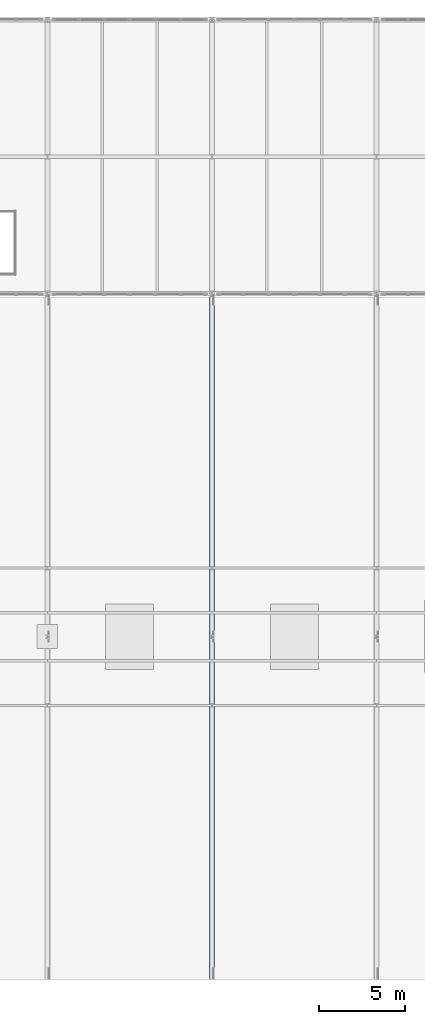
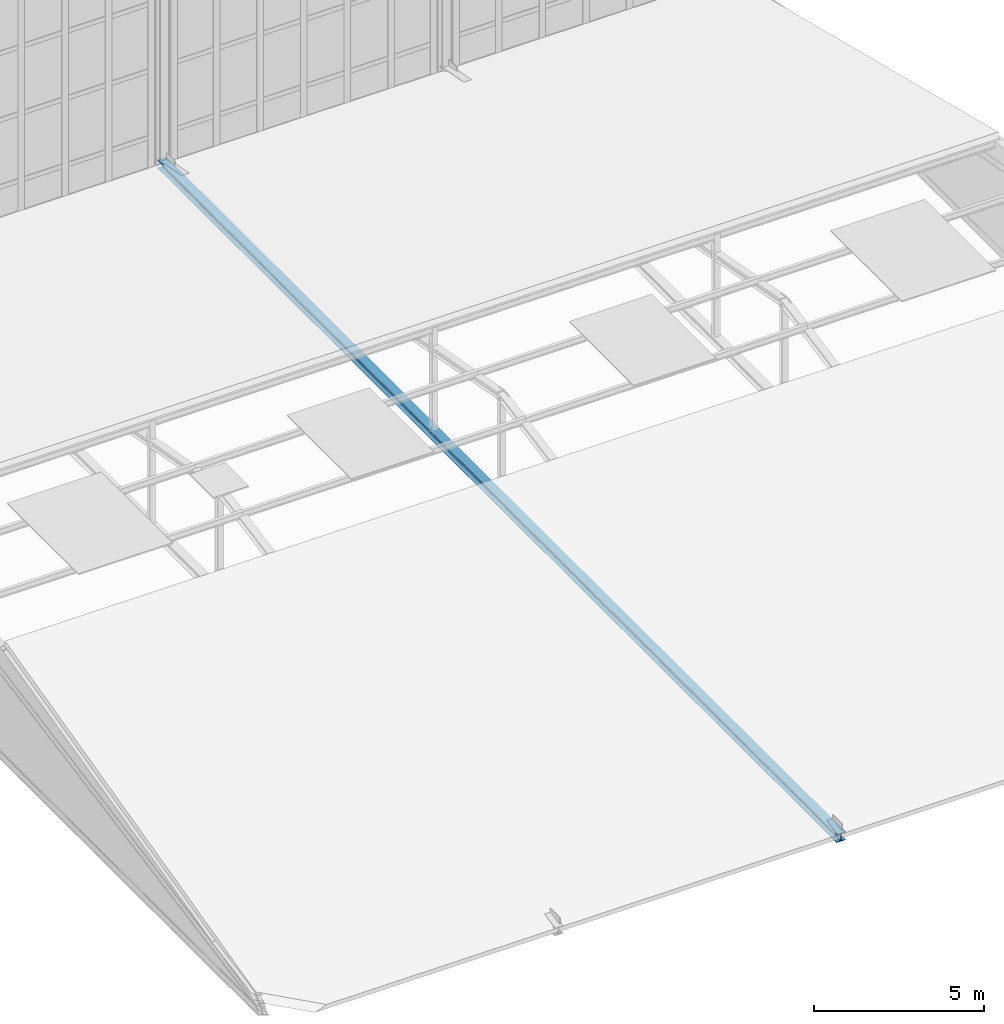
# One storey, part 27 of 73: 1 member.
"""IFC4 building model written with IfcOpenShell, lengths in metres."""

from ifc_helpers import new_model, si_unit, direction, frame, origin, origin_2d, place, context, subcontext, project, spatial, i_section, extrude, material, material_profile, profile_set, type_object, element, save


model = new_model("IFC4")

# Units and contexts
model_context = context("Model", 3, precision=1e-05, world=origin(), true_north=direction((0.0, 1.0)))
body_context = subcontext(model_context, "Body", "Model", "MODEL_VIEW")
ifc_project = project(units=[si_unit("LENGTHUNIT", "METRE"), si_unit("AREAUNIT", "SQUARE_METRE"), si_unit("VOLUMEUNIT", "CUBIC_METRE"), si_unit("PLANEANGLEUNIT", "RADIAN"), si_unit("MASSUNIT", "GRAM", prefix="KILO")], contexts=[model_context])

# Site, building, storey
site_placement = place(None, origin())
site = spatial("IfcSite", under=ifc_project, at=site_placement, CompositionType="ELEMENT")
building_placement = place(site_placement, origin())
building = spatial("IfcBuilding", under=site, at=building_placement, Name="Alderhovde Museum", CompositionType="ELEMENT")
storey_placement = place(building_placement, frame((0.0, 0.0, 17.39990234375)))
storey = spatial("IfcBuildingStorey", under=building, at=storey_placement, Name="L04", CompositionType="ELEMENT", Elevation=17.39990234375)

# Member
ifc_material = material(Name="Steel S355J2", Category="steel")
ifc_material_profile = material_profile(ifc_material, i_section(OverallWidth=0.300048828125, OverallDepth=0.2900390625, WebThickness=0.008544921875, FlangeThickness=0.013916015625, FilletRadius=0.027099609375, at=origin_2d()), Name="HEA 300")
ifc_profile_set = profile_set([ifc_material_profile], Name="Steel S355J2")
member_type = type_object("IfcMemberType", Name="TR-CH-HEA300", PredefinedType="CHORD", material=ifc_profile_set)
member_placement = place(storey_placement, frame((96.0, 32.0, 0.1201171875), z_axis=(0.0, 1.0, 0.0), x_axis=(-1.0, 0.0, 0.0)))
element("IfcMember", 1, at=member_placement, inside=storey, type_object=member_type, Name="Atrium Truss X=96.0 Continuous Tie", PredefinedType="CHORD", context=body_context, shape_type="SweptSolid", body=[
    extrude(i_section(OverallWidth=0.300048828125, OverallDepth=0.2900390625, WebThickness=0.008544921875, FlangeThickness=0.013916015625, FilletRadius=0.027099609375, at=origin_2d()), origin(), (0.0, 0.0, 1.0), 40.0),
])

save(model, "model.ifc")
